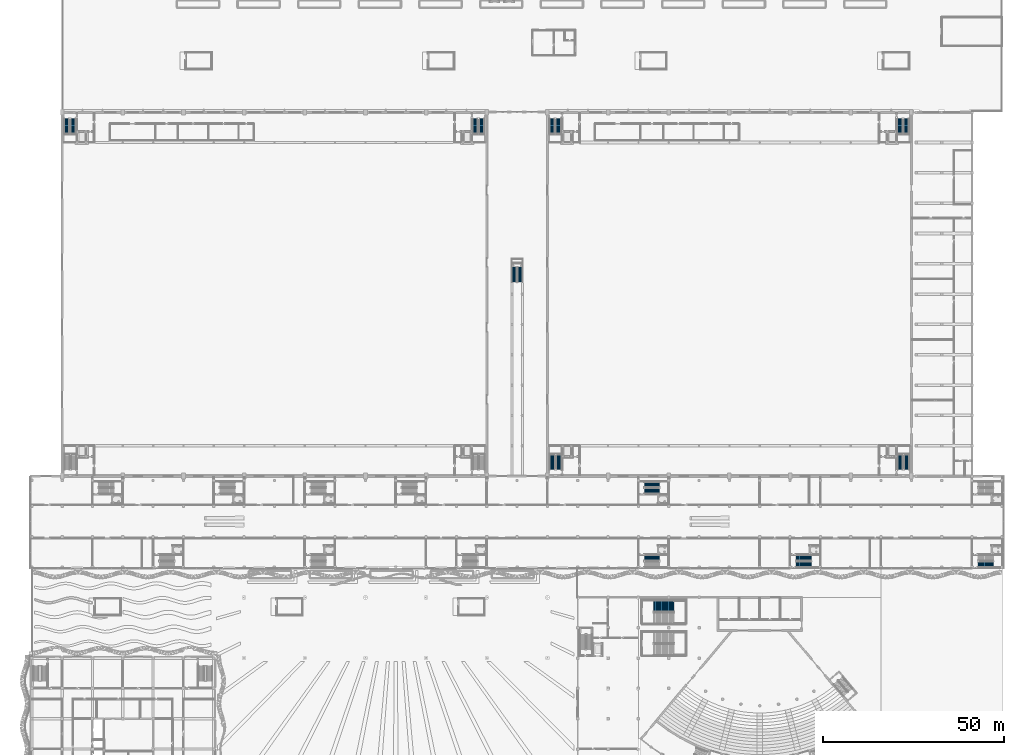
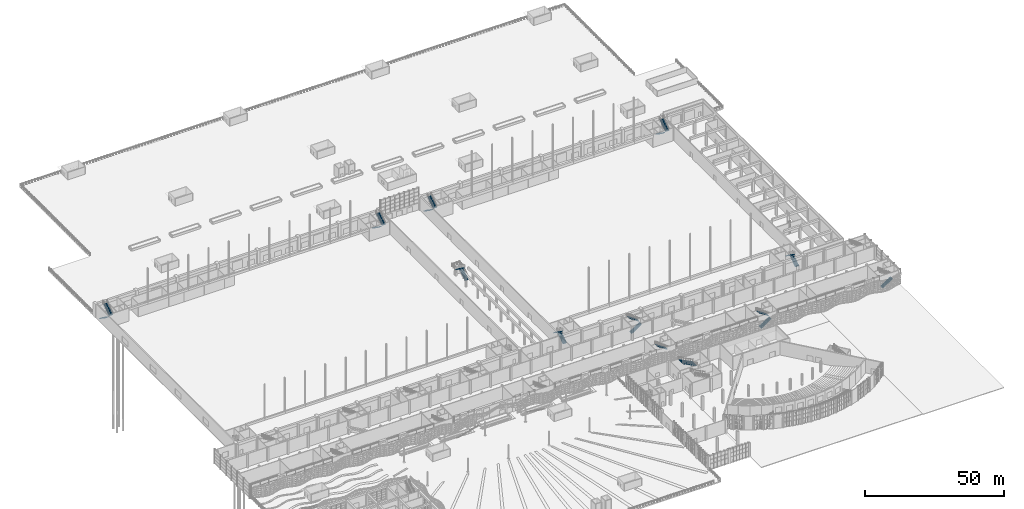
# One storey, part 131 of 210: 21 stair flights, 12 elements without a shape of their own.
"""IFC4 building model written with IfcOpenShell, lengths in metres."""

from ifc_helpers import new_model, si_unit, direction, frame, origin, place, context, subcontext, project, spatial, polyline, outline, extrude, material, layer, layer_set, type_object, element, aggregate, save


model = new_model("IFC4")

# Units and contexts
model_context = context("Model", 3, precision=1e-05, world=origin(), true_north=direction((0.0, 1.0)))
body_context = subcontext(model_context, "Body", "Model", "MODEL_VIEW")
ifc_project = project(units=[si_unit("LENGTHUNIT", "METRE"), si_unit("AREAUNIT", "SQUARE_METRE"), si_unit("VOLUMEUNIT", "CUBIC_METRE"), si_unit("PLANEANGLEUNIT", "RADIAN"), si_unit("MASSUNIT", "GRAM", prefix="KILO")], contexts=[model_context])

# Site, building, storey
site_placement = place(None, origin())
site = spatial("IfcSite", under=ifc_project, at=site_placement, CompositionType="ELEMENT")
building_placement = place(site_placement, origin())
building = spatial("IfcBuilding", under=site, at=building_placement, Name="Rain Tree Exposition and Congress Centre", CompositionType="ELEMENT")
storey_placement = place(building_placement, origin())
storey = spatial("IfcBuildingStorey", under=building, at=storey_placement, Name="L00", CompositionType="ELEMENT", Elevation=0.0)

# Stair, stair flight
ifc_material_1 = material(Name="Precast concrete C50/60", Category="concrete")
stair_type_1 = type_object("IfcStairType", Name="Concourse dogleg stair 1600", PredefinedType="HALF_TURN_STAIR", material=ifc_material_1)
stair_1_placement = place(storey_placement, origin())
stair_1 = element("IfcStair", 1, at=stair_1_placement, inside=storey, type_object=stair_type_1, Name="L00 Concourse stair", PredefinedType="HALF_TURN_STAIR")
ifc_material_2 = material(Name="Precast concrete C50/60", Category="concrete")
stair_flight_type_1 = type_object("IfcStairFlightType", Name="Concourse stair flight 1600", PredefinedType="STRAIGHT", material=ifc_material_2)
stair_flight_1_placement = place(storey_placement, frame((173.89990234375, 78.10009765625, 3.0), z_axis=(0.0, 0.0, 1.0), x_axis=(-1.0, 0.0, 0.0)))
stair_flight_1 = element("IfcStairFlight", 2, at=stair_flight_1_placement, type_object=stair_flight_type_1, Name="ST-C4 flight 2", NumberOfRisers=16, NumberOfTreads=15, PredefinedType="STRAIGHT", RiserHeight=0.1875, TreadLength=0.28, context=body_context, shape_type="SweptSolid", body=[
    extrude(outline(polyline([(0.0, 0.0), (0.0, 0.1875), (0.280029296875, 0.1875), (0.280029296875, 0.375), (0.56005859375, 0.375), (0.56005859375, 0.5625), (0.840087890625, 0.5625), (0.840087890625, 0.75), (1.1201171875, 0.75), (1.1201171875, 0.9375), (1.39990234375, 0.9375), (1.39990234375, 1.125), (1.679931640625, 1.125), (1.679931640625, 1.3125), (1.9599609375, 1.3125), (1.9599609375, 1.5), (2.239990234375, 1.5), (2.239990234375, 1.6875), (2.52001953125, 1.6875), (2.52001953125, 1.875), (2.800048828125, 1.875), (2.800048828125, 2.0625), (3.080078125, 2.0625), (3.080078125, 2.25), (3.360107421875, 2.25), (3.360107421875, 2.4375), (3.639892578125, 2.4375), (3.639892578125, 2.625), (3.919921875, 2.625), (3.919921875, 2.8125), (4.199951171875, 2.8125), (4.199951171875, 3.0), (4.199951171875, 2.632080078125), (0.26953125, 0.0), (0.0, 0.0)])), frame((0.0, 0.800048828125, 0.0), z_axis=(0.0, -1.0, 0.0), x_axis=(1.0, 0.0, 0.0)), (0.0, 0.0, 1.0), 1.60009765625),
])
aggregate(stair_1, [stair_flight_1])

# Stair, stair flights
stair_2_placement = place(storey_placement, origin())
stair_2 = element("IfcStair", 3, at=stair_2_placement, inside=storey, type_object=stair_type_1, Name="L00 Concourse stair", PredefinedType="HALF_TURN_STAIR")
stair_flight_2_placement = place(storey_placement, frame((211.699951171875, 76.35009765625, 0.0), z_axis=(0.0, 0.0, 1.0), x_axis=(1.0, 0.0, 0.0)))
stair_flight_2 = element("IfcStairFlight", 4, at=stair_flight_2_placement, type_object=stair_flight_type_1, Name="ST-C5 flight 1", NumberOfRisers=16, NumberOfTreads=15, PredefinedType="STRAIGHT", RiserHeight=0.1875, TreadLength=0.28, context=body_context, shape_type="SweptSolid", body=[
    extrude(outline(polyline([(0.0, 0.0), (0.0, 0.1875), (0.280029296875, 0.1875), (0.280029296875, 0.375), (0.56005859375, 0.375), (0.56005859375, 0.5625), (0.840087890625, 0.5625), (0.840087890625, 0.75), (1.1201171875, 0.75), (1.1201171875, 0.9375), (1.39990234375, 0.9375), (1.39990234375, 1.125), (1.679931640625, 1.125), (1.679931640625, 1.3125), (1.9599609375, 1.3125), (1.9599609375, 1.5), (2.239990234375, 1.5), (2.239990234375, 1.6875), (2.52001953125, 1.6875), (2.52001953125, 1.875), (2.800048828125, 1.875), (2.800048828125, 2.0625), (3.080078125, 2.0625), (3.080078125, 2.25), (3.360107421875, 2.25), (3.360107421875, 2.4375), (3.639892578125, 2.4375), (3.639892578125, 2.625), (3.919921875, 2.625), (3.919921875, 2.8125), (4.199951171875, 2.8125), (4.199951171875, 3.0), (4.199951171875, 2.632080078125), (0.26953125, 0.0), (0.0, 0.0)])), frame((0.0, 0.800048828125, 0.0), z_axis=(0.0, -1.0, 0.0), x_axis=(1.0, 0.0, 0.0)), (0.0, 0.0, 1.0), 1.60009765625),
])
stair_flight_3_placement = place(storey_placement, frame((215.89990234375, 78.10009765625, 3.0), z_axis=(0.0, 0.0, 1.0), x_axis=(-1.0, 0.0, 0.0)))
stair_flight_3 = element("IfcStairFlight", 5, at=stair_flight_3_placement, type_object=stair_flight_type_1, Name="ST-C5 flight 2", NumberOfRisers=16, NumberOfTreads=15, PredefinedType="STRAIGHT", RiserHeight=0.1875, TreadLength=0.28, context=body_context, shape_type="SweptSolid", body=[
    extrude(outline(polyline([(0.0, 0.0), (0.0, 0.1875), (0.280029296875, 0.1875), (0.280029296875, 0.375), (0.56005859375, 0.375), (0.56005859375, 0.5625), (0.840087890625, 0.5625), (0.840087890625, 0.75), (1.1201171875, 0.75), (1.1201171875, 0.9375), (1.39990234375, 0.9375), (1.39990234375, 1.125), (1.679931640625, 1.125), (1.679931640625, 1.3125), (1.9599609375, 1.3125), (1.9599609375, 1.5), (2.239990234375, 1.5), (2.239990234375, 1.6875), (2.52001953125, 1.6875), (2.52001953125, 1.875), (2.800048828125, 1.875), (2.800048828125, 2.0625), (3.080078125, 2.0625), (3.080078125, 2.25), (3.360107421875, 2.25), (3.360107421875, 2.4375), (3.639892578125, 2.4375), (3.639892578125, 2.625), (3.919921875, 2.625), (3.919921875, 2.8125), (4.199951171875, 2.8125), (4.199951171875, 3.0), (4.199951171875, 2.632080078125), (0.26953125, 0.0), (0.0, 0.0)])), frame((0.0, 0.800048828125, 0.0), z_axis=(0.0, -1.0, 0.0), x_axis=(1.0, 0.0, 0.0)), (0.0, 0.0, 1.0), 1.60009765625),
])
aggregate(stair_2, [stair_flight_2, stair_flight_3])

# Stair, stair flight
stair_3_placement = place(storey_placement, origin())
stair_3 = element("IfcStair", 6, at=stair_3_placement, inside=storey, type_object=stair_type_1, Name="L00 Concourse stair", PredefinedType="HALF_TURN_STAIR")
stair_flight_4_placement = place(storey_placement, frame((262.10009765625, 76.35009765625, 0.0), z_axis=(0.0, 0.0, 1.0), x_axis=(1.0, 0.0, 0.0)))
stair_flight_4 = element("IfcStairFlight", 7, at=stair_flight_4_placement, type_object=stair_flight_type_1, Name="ST-C6 flight 1", NumberOfRisers=16, NumberOfTreads=15, PredefinedType="STRAIGHT", RiserHeight=0.1875, TreadLength=0.28, context=body_context, shape_type="SweptSolid", body=[
    extrude(outline(polyline([(0.0, 0.0), (0.0, 0.1875), (0.280029296875, 0.1875), (0.280029296875, 0.375), (0.56005859375, 0.375), (0.56005859375, 0.5625), (0.840087890625, 0.5625), (0.840087890625, 0.75), (1.1201171875, 0.75), (1.1201171875, 0.9375), (1.39990234375, 0.9375), (1.39990234375, 1.125), (1.679931640625, 1.125), (1.679931640625, 1.3125), (1.9599609375, 1.3125), (1.9599609375, 1.5), (2.239990234375, 1.5), (2.239990234375, 1.6875), (2.52001953125, 1.6875), (2.52001953125, 1.875), (2.800048828125, 1.875), (2.800048828125, 2.0625), (3.080078125, 2.0625), (3.080078125, 2.25), (3.360107421875, 2.25), (3.360107421875, 2.4375), (3.639892578125, 2.4375), (3.639892578125, 2.625), (3.919921875, 2.625), (3.919921875, 2.8125), (4.199951171875, 2.8125), (4.199951171875, 3.0), (4.199951171875, 2.632080078125), (0.26953125, 0.0), (0.0, 0.0)])), frame((0.0, 0.800048828125, 0.0), z_axis=(0.0, -1.0, 0.0), x_axis=(1.0, 0.0, 0.0)), (0.0, 0.0, 1.0), 1.60009765625),
])
aggregate(stair_3, [stair_flight_4])

# Stair, stair flights
stair_4_placement = place(storey_placement, origin())
stair_4 = element("IfcStair", 8, at=stair_4_placement, inside=storey, type_object=stair_type_1, Name="L00 Concourse stair", PredefinedType="HALF_TURN_STAIR")
stair_flight_5_placement = place(storey_placement, frame((169.699951171875, 96.64990234375, 0.0), z_axis=(0.0, 0.0, 1.0), x_axis=(1.0, 0.0, 0.0)))
stair_flight_5 = element("IfcStairFlight", 9, at=stair_flight_5_placement, type_object=stair_flight_type_1, Name="ST-C11 flight 1", NumberOfRisers=16, NumberOfTreads=15, PredefinedType="STRAIGHT", RiserHeight=0.1875, TreadLength=0.28, context=body_context, shape_type="SweptSolid", body=[
    extrude(outline(polyline([(0.0, 0.0), (0.0, 0.1875), (0.280029296875, 0.1875), (0.280029296875, 0.375), (0.56005859375, 0.375), (0.56005859375, 0.5625), (0.840087890625, 0.5625), (0.840087890625, 0.75), (1.1201171875, 0.75), (1.1201171875, 0.9375), (1.39990234375, 0.9375), (1.39990234375, 1.125), (1.679931640625, 1.125), (1.679931640625, 1.3125), (1.9599609375, 1.3125), (1.9599609375, 1.5), (2.239990234375, 1.5), (2.239990234375, 1.6875), (2.52001953125, 1.6875), (2.52001953125, 1.875), (2.800048828125, 1.875), (2.800048828125, 2.0625), (3.080078125, 2.0625), (3.080078125, 2.25), (3.360107421875, 2.25), (3.360107421875, 2.4375), (3.639892578125, 2.4375), (3.639892578125, 2.625), (3.919921875, 2.625), (3.919921875, 2.8125), (4.199951171875, 2.8125), (4.199951171875, 3.0), (4.199951171875, 2.632080078125), (0.26953125, 0.0), (0.0, 0.0)])), frame((0.0, 0.800048828125, 0.0), z_axis=(0.0, -1.0, 0.0), x_axis=(1.0, 0.0, 0.0)), (0.0, 0.0, 1.0), 1.60009765625),
])
stair_flight_6_placement = place(storey_placement, frame((173.89990234375, 98.39990234375, 3.0), z_axis=(0.0, 0.0, 1.0), x_axis=(-1.0, 0.0, 0.0)))
stair_flight_6 = element("IfcStairFlight", 10, at=stair_flight_6_placement, type_object=stair_flight_type_1, Name="ST-C11 flight 2", NumberOfRisers=16, NumberOfTreads=15, PredefinedType="STRAIGHT", RiserHeight=0.1875, TreadLength=0.28, context=body_context, shape_type="SweptSolid", body=[
    extrude(outline(polyline([(0.0, 0.0), (0.0, 0.1875), (0.280029296875, 0.1875), (0.280029296875, 0.375), (0.56005859375, 0.375), (0.56005859375, 0.5625), (0.840087890625, 0.5625), (0.840087890625, 0.75), (1.1201171875, 0.75), (1.1201171875, 0.9375), (1.39990234375, 0.9375), (1.39990234375, 1.125), (1.679931640625, 1.125), (1.679931640625, 1.3125), (1.9599609375, 1.3125), (1.9599609375, 1.5), (2.239990234375, 1.5), (2.239990234375, 1.6875), (2.52001953125, 1.6875), (2.52001953125, 1.875), (2.800048828125, 1.875), (2.800048828125, 2.0625), (3.080078125, 2.0625), (3.080078125, 2.25), (3.360107421875, 2.25), (3.360107421875, 2.4375), (3.639892578125, 2.4375), (3.639892578125, 2.625), (3.919921875, 2.625), (3.919921875, 2.8125), (4.199951171875, 2.8125), (4.199951171875, 3.0), (4.199951171875, 2.632080078125), (0.26953125, 0.0), (0.0, 0.0)])), frame((0.0, 0.800048828125, 0.0), z_axis=(0.0, -1.0, 0.0), x_axis=(1.0, 0.0, 0.0)), (0.0, 0.0, 1.0), 1.60009765625),
])
aggregate(stair_4, [stair_flight_5, stair_flight_6])

ifc_material_3 = material(Name="Concrete C40/50", Category="concrete")
stair_type_2 = type_object("IfcStairType", Name="Half-turn stair 1500", PredefinedType="HALF_TURN_STAIR", material=ifc_material_3)
stair_5_placement = place(storey_placement, origin())
stair_5 = element("IfcStair", 11, at=stair_5_placement, inside=storey, type_object=stair_type_2, Name="L00 Stair HL1", PredefinedType="HALF_TURN_STAIR")
ifc_material_4 = material(Name="Concrete C40/50", Category="concrete")
stair_flight_type_2 = type_object("IfcStairFlightType", Name="Stair flight 1500", PredefinedType="STRAIGHT", material=ifc_material_4)
stair_flight_7_placement = place(storey_placement, frame((135.25, 154.5, 0.0), z_axis=(0.0, 0.0, 1.0), x_axis=(0.0, 1.0, 0.0)))
stair_flight_7 = element("IfcStairFlight", 12, at=stair_flight_7_placement, type_object=stair_flight_type_2, Name="ST-HL1 flight 1", NumberOfRisers=16, NumberOfTreads=15, PredefinedType="STRAIGHT", RiserHeight=0.1875, TreadLength=0.28, context=body_context, shape_type="SweptSolid", body=[
    extrude(outline(polyline([(0.0, 0.0), (0.0, 0.1875), (0.280029296875, 0.1875), (0.280029296875, 0.375), (0.56005859375, 0.375), (0.56005859375, 0.5625), (0.840087890625, 0.5625), (0.840087890625, 0.75), (1.1201171875, 0.75), (1.1201171875, 0.9375), (1.39990234375, 0.9375), (1.39990234375, 1.125), (1.679931640625, 1.125), (1.679931640625, 1.3125), (1.9599609375, 1.3125), (1.9599609375, 1.5), (2.239990234375, 1.5), (2.239990234375, 1.6875), (2.52001953125, 1.6875), (2.52001953125, 1.875), (2.800048828125, 1.875), (2.800048828125, 2.0625), (3.080078125, 2.0625), (3.080078125, 2.25), (3.360107421875, 2.25), (3.360107421875, 2.4375), (3.639892578125, 2.4375), (3.639892578125, 2.625), (3.919921875, 2.625), (3.919921875, 2.8125), (4.199951171875, 2.8125), (4.199951171875, 3.0), (4.199951171875, 2.632080078125), (0.26953125, 0.0), (0.0, 0.0)])), frame((0.0, 0.75, 0.0), z_axis=(0.0, -1.0, 0.0), x_axis=(1.0, 0.0, 0.0)), (0.0, 0.0, 1.0), 1.5),
])
stair_flight_8_placement = place(storey_placement, frame((133.60009765625, 158.699951171875, 3.0), z_axis=(0.0, 0.0, 1.0), x_axis=(0.0, -1.0, 0.0)))
stair_flight_8 = element("IfcStairFlight", 13, at=stair_flight_8_placement, type_object=stair_flight_type_2, Name="ST-HL1 flight 2", NumberOfRisers=16, NumberOfTreads=15, PredefinedType="STRAIGHT", RiserHeight=0.1875, TreadLength=0.28, context=body_context, shape_type="SweptSolid", body=[
    extrude(outline(polyline([(0.0, 0.0), (0.0, 0.1875), (0.280029296875, 0.1875), (0.280029296875, 0.375), (0.56005859375, 0.375), (0.56005859375, 0.5625), (0.840087890625, 0.5625), (0.840087890625, 0.75), (1.1201171875, 0.75), (1.1201171875, 0.9375), (1.39990234375, 0.9375), (1.39990234375, 1.125), (1.679931640625, 1.125), (1.679931640625, 1.3125), (1.9599609375, 1.3125), (1.9599609375, 1.5), (2.239990234375, 1.5), (2.239990234375, 1.6875), (2.52001953125, 1.6875), (2.52001953125, 1.875), (2.800048828125, 1.875), (2.800048828125, 2.0625), (3.080078125, 2.0625), (3.080078125, 2.25), (3.360107421875, 2.25), (3.360107421875, 2.4375), (3.639892578125, 2.4375), (3.639892578125, 2.625), (3.919921875, 2.625), (3.919921875, 2.8125), (4.199951171875, 2.8125), (4.199951171875, 3.0), (4.199951171875, 2.632080078125), (0.26953125, 0.0), (0.0, 0.0)])), frame((0.0, 0.75, 0.0), z_axis=(0.0, -1.0, 0.0), x_axis=(1.0, 0.0, 0.0)), (0.0, 0.0, 1.0), 1.5),
])
aggregate(stair_5, [stair_flight_7, stair_flight_8])

ifc_material_5 = material(Name="Concrete C40/50", Category="concrete")
stair_type_3 = type_object("IfcStairType", Name="Half-turn stair 1600", PredefinedType="HALF_TURN_STAIR", material=ifc_material_5)
stair_6_placement = place(storey_placement, origin())
stair_6 = element("IfcStair", 14, at=stair_6_placement, inside=storey, type_object=stair_type_3, Name="L00 Stair H3", PredefinedType="HALF_TURN_STAIR")
ifc_material_6 = material(Name="Concrete C40/50", Category="concrete")
stair_flight_type_3 = type_object("IfcStairFlightType", Name="Stair flight 1600", PredefinedType="STRAIGHT", material=ifc_material_6)
stair_flight_9_placement = place(storey_placement, frame((9.699951171875, 199.800048828125, 0.0), z_axis=(0.0, 0.0, 1.0), x_axis=(0.0, -1.0, 0.0)))
stair_flight_9 = element("IfcStairFlight", 15, at=stair_flight_9_placement, type_object=stair_flight_type_3, Name="ST-H3 flight 1", NumberOfRisers=16, NumberOfTreads=15, PredefinedType="STRAIGHT", RiserHeight=0.1875, TreadLength=0.28, context=body_context, shape_type="SweptSolid", body=[
    extrude(outline(polyline([(0.0, 0.0), (0.0, 0.1875), (0.280029296875, 0.1875), (0.280029296875, 0.375), (0.56005859375, 0.375), (0.56005859375, 0.5625), (0.840087890625, 0.5625), (0.840087890625, 0.75), (1.1201171875, 0.75), (1.1201171875, 0.9375), (1.39990234375, 0.9375), (1.39990234375, 1.125), (1.679931640625, 1.125), (1.679931640625, 1.3125), (1.9599609375, 1.3125), (1.9599609375, 1.5), (2.239990234375, 1.5), (2.239990234375, 1.6875), (2.52001953125, 1.6875), (2.52001953125, 1.875), (2.800048828125, 1.875), (2.800048828125, 2.0625), (3.080078125, 2.0625), (3.080078125, 2.25), (3.360107421875, 2.25), (3.360107421875, 2.4375), (3.639892578125, 2.4375), (3.639892578125, 2.625), (3.919921875, 2.625), (3.919921875, 2.8125), (4.199951171875, 2.8125), (4.199951171875, 3.0), (4.199951171875, 2.632080078125), (0.26953125, 0.0), (0.0, 0.0)])), frame((0.0, 0.800048828125, 0.0), z_axis=(0.0, -1.0, 0.0), x_axis=(1.0, 0.0, 0.0)), (0.0, 0.0, 1.0), 1.60009765625),
])
stair_flight_10_placement = place(storey_placement, frame((11.449951171875, 195.60009765625, 3.0), z_axis=(0.0, 0.0, 1.0), x_axis=(0.0, 1.0, 0.0)))
stair_flight_10 = element("IfcStairFlight", 16, at=stair_flight_10_placement, type_object=stair_flight_type_3, Name="ST-H3 flight 2", NumberOfRisers=16, NumberOfTreads=15, PredefinedType="STRAIGHT", RiserHeight=0.1875, TreadLength=0.28, context=body_context, shape_type="SweptSolid", body=[
    extrude(outline(polyline([(0.0, 0.0), (0.0, 0.1875), (0.280029296875, 0.1875), (0.280029296875, 0.375), (0.56005859375, 0.375), (0.56005859375, 0.5625), (0.840087890625, 0.5625), (0.840087890625, 0.75), (1.1201171875, 0.75), (1.1201171875, 0.9375), (1.39990234375, 0.9375), (1.39990234375, 1.125), (1.679931640625, 1.125), (1.679931640625, 1.3125), (1.9599609375, 1.3125), (1.9599609375, 1.5), (2.239990234375, 1.5), (2.239990234375, 1.6875), (2.52001953125, 1.6875), (2.52001953125, 1.875), (2.800048828125, 1.875), (2.800048828125, 2.0625), (3.080078125, 2.0625), (3.080078125, 2.25), (3.360107421875, 2.25), (3.360107421875, 2.4375), (3.639892578125, 2.4375), (3.639892578125, 2.625), (3.919921875, 2.625), (3.919921875, 2.8125), (4.199951171875, 2.8125), (4.199951171875, 3.0), (4.199951171875, 2.632080078125), (0.26953125, 0.0), (0.0, 0.0)])), frame((0.0, 0.800048828125, 0.0), z_axis=(0.0, -1.0, 0.0), x_axis=(1.0, 0.0, 0.0)), (0.0, 0.0, 1.0), 1.60009765625),
])
aggregate(stair_6, [stair_flight_9, stair_flight_10])

stair_7_placement = place(storey_placement, origin())
stair_7 = element("IfcStair", 17, at=stair_7_placement, inside=storey, type_object=stair_type_3, Name="L00 Stair H4", PredefinedType="HALF_TURN_STAIR")
stair_flight_11_placement = place(storey_placement, frame((122.824951171875, 199.800048828125, 0.0), z_axis=(0.0, 0.0, 1.0), x_axis=(0.0, -1.0, 0.0)))
stair_flight_11 = element("IfcStairFlight", 18, at=stair_flight_11_placement, type_object=stair_flight_type_3, Name="ST-H4 flight 1", NumberOfRisers=16, NumberOfTreads=15, PredefinedType="STRAIGHT", RiserHeight=0.1875, TreadLength=0.28, context=body_context, shape_type="SweptSolid", body=[
    extrude(outline(polyline([(0.0, 0.0), (0.0, 0.1875), (0.280029296875, 0.1875), (0.280029296875, 0.375), (0.56005859375, 0.375), (0.56005859375, 0.5625), (0.840087890625, 0.5625), (0.840087890625, 0.75), (1.1201171875, 0.75), (1.1201171875, 0.9375), (1.39990234375, 0.9375), (1.39990234375, 1.125), (1.679931640625, 1.125), (1.679931640625, 1.3125), (1.9599609375, 1.3125), (1.9599609375, 1.5), (2.239990234375, 1.5), (2.239990234375, 1.6875), (2.52001953125, 1.6875), (2.52001953125, 1.875), (2.800048828125, 1.875), (2.800048828125, 2.0625), (3.080078125, 2.0625), (3.080078125, 2.25), (3.360107421875, 2.25), (3.360107421875, 2.4375), (3.639892578125, 2.4375), (3.639892578125, 2.625), (3.919921875, 2.625), (3.919921875, 2.8125), (4.199951171875, 2.8125), (4.199951171875, 3.0), (4.199951171875, 2.632080078125), (0.26953125, 0.0), (0.0, 0.0)])), frame((0.0, 0.800048828125, 0.0), z_axis=(0.0, -1.0, 0.0), x_axis=(1.0, 0.0, 0.0)), (0.0, 0.0, 1.0), 1.60009765625),
])
stair_flight_12_placement = place(storey_placement, frame((124.574951171875, 195.60009765625, 3.0), z_axis=(0.0, 0.0, 1.0), x_axis=(0.0, 1.0, 0.0)))
stair_flight_12 = element("IfcStairFlight", 19, at=stair_flight_12_placement, type_object=stair_flight_type_3, Name="ST-H4 flight 2", NumberOfRisers=16, NumberOfTreads=15, PredefinedType="STRAIGHT", RiserHeight=0.1875, TreadLength=0.28, context=body_context, shape_type="SweptSolid", body=[
    extrude(outline(polyline([(0.0, 0.0), (0.0, 0.1875), (0.280029296875, 0.1875), (0.280029296875, 0.375), (0.56005859375, 0.375), (0.56005859375, 0.5625), (0.840087890625, 0.5625), (0.840087890625, 0.75), (1.1201171875, 0.75), (1.1201171875, 0.9375), (1.39990234375, 0.9375), (1.39990234375, 1.125), (1.679931640625, 1.125), (1.679931640625, 1.3125), (1.9599609375, 1.3125), (1.9599609375, 1.5), (2.239990234375, 1.5), (2.239990234375, 1.6875), (2.52001953125, 1.6875), (2.52001953125, 1.875), (2.800048828125, 1.875), (2.800048828125, 2.0625), (3.080078125, 2.0625), (3.080078125, 2.25), (3.360107421875, 2.25), (3.360107421875, 2.4375), (3.639892578125, 2.4375), (3.639892578125, 2.625), (3.919921875, 2.625), (3.919921875, 2.8125), (4.199951171875, 2.8125), (4.199951171875, 3.0), (4.199951171875, 2.632080078125), (0.26953125, 0.0), (0.0, 0.0)])), frame((0.0, 0.800048828125, 0.0), z_axis=(0.0, -1.0, 0.0), x_axis=(1.0, 0.0, 0.0)), (0.0, 0.0, 1.0), 1.60009765625),
])
aggregate(stair_7, [stair_flight_11, stair_flight_12])

stair_8_placement = place(storey_placement, origin())
stair_8 = element("IfcStair", 20, at=stair_8_placement, inside=storey, type_object=stair_type_3, Name="L00 Stair H5", PredefinedType="HALF_TURN_STAIR")
stair_flight_13_placement = place(storey_placement, frame((145.97509765625, 102.60009765625, 0.0), z_axis=(0.0, 0.0, 1.0), x_axis=(0.0, 1.0, 0.0)))
stair_flight_13 = element("IfcStairFlight", 21, at=stair_flight_13_placement, type_object=stair_flight_type_3, Name="ST-H5 flight 1", NumberOfRisers=16, NumberOfTreads=15, PredefinedType="STRAIGHT", RiserHeight=0.1875, TreadLength=0.28, context=body_context, shape_type="SweptSolid", body=[
    extrude(outline(polyline([(0.0, 0.0), (0.0, 0.1875), (0.280029296875, 0.1875), (0.280029296875, 0.375), (0.56005859375, 0.375), (0.56005859375, 0.5625), (0.840087890625, 0.5625), (0.840087890625, 0.75), (1.1201171875, 0.75), (1.1201171875, 0.9375), (1.39990234375, 0.9375), (1.39990234375, 1.125), (1.679931640625, 1.125), (1.679931640625, 1.3125), (1.9599609375, 1.3125), (1.9599609375, 1.5), (2.239990234375, 1.5), (2.239990234375, 1.6875), (2.52001953125, 1.6875), (2.52001953125, 1.875), (2.800048828125, 1.875), (2.800048828125, 2.0625), (3.080078125, 2.0625), (3.080078125, 2.25), (3.360107421875, 2.25), (3.360107421875, 2.4375), (3.639892578125, 2.4375), (3.639892578125, 2.625), (3.919921875, 2.625), (3.919921875, 2.8125), (4.199951171875, 2.8125), (4.199951171875, 3.0), (4.199951171875, 2.632080078125), (0.26953125, 0.0), (0.0, 0.0)])), frame((0.0, 0.800048828125, 0.0), z_axis=(0.0, -1.0, 0.0), x_axis=(1.0, 0.0, 0.0)), (0.0, 0.0, 1.0), 1.60009765625),
])
stair_flight_14_placement = place(storey_placement, frame((144.22509765625, 106.800048828125, 3.0), z_axis=(0.0, 0.0, 1.0), x_axis=(0.0, -1.0, 0.0)))
stair_flight_14 = element("IfcStairFlight", 22, at=stair_flight_14_placement, type_object=stair_flight_type_3, Name="ST-H5 flight 2", NumberOfRisers=16, NumberOfTreads=15, PredefinedType="STRAIGHT", RiserHeight=0.1875, TreadLength=0.28, context=body_context, shape_type="SweptSolid", body=[
    extrude(outline(polyline([(0.0, 0.0), (0.0, 0.1875), (0.280029296875, 0.1875), (0.280029296875, 0.375), (0.56005859375, 0.375), (0.56005859375, 0.5625), (0.840087890625, 0.5625), (0.840087890625, 0.75), (1.1201171875, 0.75), (1.1201171875, 0.9375), (1.39990234375, 0.9375), (1.39990234375, 1.125), (1.679931640625, 1.125), (1.679931640625, 1.3125), (1.9599609375, 1.3125), (1.9599609375, 1.5), (2.239990234375, 1.5), (2.239990234375, 1.6875), (2.52001953125, 1.6875), (2.52001953125, 1.875), (2.800048828125, 1.875), (2.800048828125, 2.0625), (3.080078125, 2.0625), (3.080078125, 2.25), (3.360107421875, 2.25), (3.360107421875, 2.4375), (3.639892578125, 2.4375), (3.639892578125, 2.625), (3.919921875, 2.625), (3.919921875, 2.8125), (4.199951171875, 2.8125), (4.199951171875, 3.0), (4.199951171875, 2.632080078125), (0.26953125, 0.0), (0.0, 0.0)])), frame((0.0, 0.800048828125, 0.0), z_axis=(0.0, -1.0, 0.0), x_axis=(1.0, 0.0, 0.0)), (0.0, 0.0, 1.0), 1.60009765625),
])
aggregate(stair_8, [stair_flight_13, stair_flight_14])

stair_9_placement = place(storey_placement, origin())
stair_9 = element("IfcStair", 23, at=stair_9_placement, inside=storey, type_object=stair_type_3, Name="L00 Stair H6", PredefinedType="HALF_TURN_STAIR")
stair_flight_15_placement = place(storey_placement, frame((242.300048828125, 102.60009765625, 0.0), z_axis=(0.0, 0.0, 1.0), x_axis=(0.0, 1.0, 0.0)))
stair_flight_15 = element("IfcStairFlight", 24, at=stair_flight_15_placement, type_object=stair_flight_type_3, Name="ST-H6 flight 1", NumberOfRisers=16, NumberOfTreads=15, PredefinedType="STRAIGHT", RiserHeight=0.1875, TreadLength=0.28, context=body_context, shape_type="SweptSolid", body=[
    extrude(outline(polyline([(0.0, 0.0), (0.0, 0.1875), (0.280029296875, 0.1875), (0.280029296875, 0.375), (0.56005859375, 0.375), (0.56005859375, 0.5625), (0.840087890625, 0.5625), (0.840087890625, 0.75), (1.1201171875, 0.75), (1.1201171875, 0.9375), (1.39990234375, 0.9375), (1.39990234375, 1.125), (1.679931640625, 1.125), (1.679931640625, 1.3125), (1.9599609375, 1.3125), (1.9599609375, 1.5), (2.239990234375, 1.5), (2.239990234375, 1.6875), (2.52001953125, 1.6875), (2.52001953125, 1.875), (2.800048828125, 1.875), (2.800048828125, 2.0625), (3.080078125, 2.0625), (3.080078125, 2.25), (3.360107421875, 2.25), (3.360107421875, 2.4375), (3.639892578125, 2.4375), (3.639892578125, 2.625), (3.919921875, 2.625), (3.919921875, 2.8125), (4.199951171875, 2.8125), (4.199951171875, 3.0), (4.199951171875, 2.632080078125), (0.26953125, 0.0), (0.0, 0.0)])), frame((0.0, 0.800048828125, 0.0), z_axis=(0.0, -1.0, 0.0), x_axis=(1.0, 0.0, 0.0)), (0.0, 0.0, 1.0), 1.60009765625),
])
stair_flight_16_placement = place(storey_placement, frame((240.550048828125, 106.800048828125, 3.0), z_axis=(0.0, 0.0, 1.0), x_axis=(0.0, -1.0, 0.0)))
stair_flight_16 = element("IfcStairFlight", 25, at=stair_flight_16_placement, type_object=stair_flight_type_3, Name="ST-H6 flight 2", NumberOfRisers=16, NumberOfTreads=15, PredefinedType="STRAIGHT", RiserHeight=0.1875, TreadLength=0.28, context=body_context, shape_type="SweptSolid", body=[
    extrude(outline(polyline([(0.0, 0.0), (0.0, 0.1875), (0.280029296875, 0.1875), (0.280029296875, 0.375), (0.56005859375, 0.375), (0.56005859375, 0.5625), (0.840087890625, 0.5625), (0.840087890625, 0.75), (1.1201171875, 0.75), (1.1201171875, 0.9375), (1.39990234375, 0.9375), (1.39990234375, 1.125), (1.679931640625, 1.125), (1.679931640625, 1.3125), (1.9599609375, 1.3125), (1.9599609375, 1.5), (2.239990234375, 1.5), (2.239990234375, 1.6875), (2.52001953125, 1.6875), (2.52001953125, 1.875), (2.800048828125, 1.875), (2.800048828125, 2.0625), (3.080078125, 2.0625), (3.080078125, 2.25), (3.360107421875, 2.25), (3.360107421875, 2.4375), (3.639892578125, 2.4375), (3.639892578125, 2.625), (3.919921875, 2.625), (3.919921875, 2.8125), (4.199951171875, 2.8125), (4.199951171875, 3.0), (4.199951171875, 2.632080078125), (0.26953125, 0.0), (0.0, 0.0)])), frame((0.0, 0.800048828125, 0.0), z_axis=(0.0, -1.0, 0.0), x_axis=(1.0, 0.0, 0.0)), (0.0, 0.0, 1.0), 1.60009765625),
])
aggregate(stair_9, [stair_flight_15, stair_flight_16])

stair_10_placement = place(storey_placement, origin())
stair_10 = element("IfcStair", 26, at=stair_10_placement, inside=storey, type_object=stair_type_3, Name="L00 Stair H7", PredefinedType="HALF_TURN_STAIR")
stair_flight_17_placement = place(storey_placement, frame((144.10009765625, 199.800048828125, 0.0), z_axis=(0.0, 0.0, 1.0), x_axis=(0.0, -1.0, 0.0)))
stair_flight_17 = element("IfcStairFlight", 27, at=stair_flight_17_placement, type_object=stair_flight_type_3, Name="ST-H7 flight 1", NumberOfRisers=16, NumberOfTreads=15, PredefinedType="STRAIGHT", RiserHeight=0.1875, TreadLength=0.28, context=body_context, shape_type="SweptSolid", body=[
    extrude(outline(polyline([(0.0, 0.0), (0.0, 0.1875), (0.280029296875, 0.1875), (0.280029296875, 0.375), (0.56005859375, 0.375), (0.56005859375, 0.5625), (0.840087890625, 0.5625), (0.840087890625, 0.75), (1.1201171875, 0.75), (1.1201171875, 0.9375), (1.39990234375, 0.9375), (1.39990234375, 1.125), (1.679931640625, 1.125), (1.679931640625, 1.3125), (1.9599609375, 1.3125), (1.9599609375, 1.5), (2.239990234375, 1.5), (2.239990234375, 1.6875), (2.52001953125, 1.6875), (2.52001953125, 1.875), (2.800048828125, 1.875), (2.800048828125, 2.0625), (3.080078125, 2.0625), (3.080078125, 2.25), (3.360107421875, 2.25), (3.360107421875, 2.4375), (3.639892578125, 2.4375), (3.639892578125, 2.625), (3.919921875, 2.625), (3.919921875, 2.8125), (4.199951171875, 2.8125), (4.199951171875, 3.0), (4.199951171875, 2.632080078125), (0.26953125, 0.0), (0.0, 0.0)])), frame((0.0, 0.800048828125, 0.0), z_axis=(0.0, -1.0, 0.0), x_axis=(1.0, 0.0, 0.0)), (0.0, 0.0, 1.0), 1.60009765625),
])
stair_flight_18_placement = place(storey_placement, frame((145.85009765625, 195.60009765625, 3.0), z_axis=(0.0, 0.0, 1.0), x_axis=(0.0, 1.0, 0.0)))
stair_flight_18 = element("IfcStairFlight", 28, at=stair_flight_18_placement, type_object=stair_flight_type_3, Name="ST-H7 flight 2", NumberOfRisers=16, NumberOfTreads=15, PredefinedType="STRAIGHT", RiserHeight=0.1875, TreadLength=0.28, context=body_context, shape_type="SweptSolid", body=[
    extrude(outline(polyline([(0.0, 0.0), (0.0, 0.1875), (0.280029296875, 0.1875), (0.280029296875, 0.375), (0.56005859375, 0.375), (0.56005859375, 0.5625), (0.840087890625, 0.5625), (0.840087890625, 0.75), (1.1201171875, 0.75), (1.1201171875, 0.9375), (1.39990234375, 0.9375), (1.39990234375, 1.125), (1.679931640625, 1.125), (1.679931640625, 1.3125), (1.9599609375, 1.3125), (1.9599609375, 1.5), (2.239990234375, 1.5), (2.239990234375, 1.6875), (2.52001953125, 1.6875), (2.52001953125, 1.875), (2.800048828125, 1.875), (2.800048828125, 2.0625), (3.080078125, 2.0625), (3.080078125, 2.25), (3.360107421875, 2.25), (3.360107421875, 2.4375), (3.639892578125, 2.4375), (3.639892578125, 2.625), (3.919921875, 2.625), (3.919921875, 2.8125), (4.199951171875, 2.8125), (4.199951171875, 3.0), (4.199951171875, 2.632080078125), (0.26953125, 0.0), (0.0, 0.0)])), frame((0.0, 0.800048828125, 0.0), z_axis=(0.0, -1.0, 0.0), x_axis=(1.0, 0.0, 0.0)), (0.0, 0.0, 1.0), 1.60009765625),
])
aggregate(stair_10, [stair_flight_17, stair_flight_18])

stair_11_placement = place(storey_placement, origin())
stair_11 = element("IfcStair", 29, at=stair_11_placement, inside=storey, type_object=stair_type_3, Name="L00 Stair H8", PredefinedType="HALF_TURN_STAIR")
stair_flight_19_placement = place(storey_placement, frame((240.425048828125, 199.800048828125, 0.0), z_axis=(0.0, 0.0, 1.0), x_axis=(0.0, -1.0, 0.0)))
stair_flight_19 = element("IfcStairFlight", 30, at=stair_flight_19_placement, type_object=stair_flight_type_3, Name="ST-H8 flight 1", NumberOfRisers=16, NumberOfTreads=15, PredefinedType="STRAIGHT", RiserHeight=0.1875, TreadLength=0.28, context=body_context, shape_type="SweptSolid", body=[
    extrude(outline(polyline([(0.0, 0.0), (0.0, 0.1875), (0.280029296875, 0.1875), (0.280029296875, 0.375), (0.56005859375, 0.375), (0.56005859375, 0.5625), (0.840087890625, 0.5625), (0.840087890625, 0.75), (1.1201171875, 0.75), (1.1201171875, 0.9375), (1.39990234375, 0.9375), (1.39990234375, 1.125), (1.679931640625, 1.125), (1.679931640625, 1.3125), (1.9599609375, 1.3125), (1.9599609375, 1.5), (2.239990234375, 1.5), (2.239990234375, 1.6875), (2.52001953125, 1.6875), (2.52001953125, 1.875), (2.800048828125, 1.875), (2.800048828125, 2.0625), (3.080078125, 2.0625), (3.080078125, 2.25), (3.360107421875, 2.25), (3.360107421875, 2.4375), (3.639892578125, 2.4375), (3.639892578125, 2.625), (3.919921875, 2.625), (3.919921875, 2.8125), (4.199951171875, 2.8125), (4.199951171875, 3.0), (4.199951171875, 2.632080078125), (0.26953125, 0.0), (0.0, 0.0)])), frame((0.0, 0.800048828125, 0.0), z_axis=(0.0, -1.0, 0.0), x_axis=(1.0, 0.0, 0.0)), (0.0, 0.0, 1.0), 1.60009765625),
])
stair_flight_20_placement = place(storey_placement, frame((242.175048828125, 195.60009765625, 3.0), z_axis=(0.0, 0.0, 1.0), x_axis=(0.0, 1.0, 0.0)))
stair_flight_20 = element("IfcStairFlight", 31, at=stair_flight_20_placement, type_object=stair_flight_type_3, Name="ST-H8 flight 2", NumberOfRisers=16, NumberOfTreads=15, PredefinedType="STRAIGHT", RiserHeight=0.1875, TreadLength=0.28, context=body_context, shape_type="SweptSolid", body=[
    extrude(outline(polyline([(0.0, 0.0), (0.0, 0.1875), (0.280029296875, 0.1875), (0.280029296875, 0.375), (0.56005859375, 0.375), (0.56005859375, 0.5625), (0.840087890625, 0.5625), (0.840087890625, 0.75), (1.1201171875, 0.75), (1.1201171875, 0.9375), (1.39990234375, 0.9375), (1.39990234375, 1.125), (1.679931640625, 1.125), (1.679931640625, 1.3125), (1.9599609375, 1.3125), (1.9599609375, 1.5), (2.239990234375, 1.5), (2.239990234375, 1.6875), (2.52001953125, 1.6875), (2.52001953125, 1.875), (2.800048828125, 1.875), (2.800048828125, 2.0625), (3.080078125, 2.0625), (3.080078125, 2.25), (3.360107421875, 2.25), (3.360107421875, 2.4375), (3.639892578125, 2.4375), (3.639892578125, 2.625), (3.919921875, 2.625), (3.919921875, 2.8125), (4.199951171875, 2.8125), (4.199951171875, 3.0), (4.199951171875, 2.632080078125), (0.26953125, 0.0), (0.0, 0.0)])), frame((0.0, 0.800048828125, 0.0), z_axis=(0.0, -1.0, 0.0), x_axis=(1.0, 0.0, 0.0)), (0.0, 0.0, 1.0), 1.60009765625),
])
aggregate(stair_11, [stair_flight_19, stair_flight_20])

# Stair, stair flight
ifc_material_7 = material(Name="Concrete C40/50", Category="concrete")
stair_type_4 = type_object("IfcStairType", Name="Half-turn stair congress", PredefinedType="HALF_TURN_STAIR", material=ifc_material_7)
stair_12_placement = place(storey_placement, origin())
stair_12 = element("IfcStair", 32, at=stair_12_placement, inside=storey, type_object=stair_type_4, Name="L00 Stair ST-G4", PredefinedType="HALF_TURN_STAIR")
ifc_material_8 = material(Name="Concrete C40/50", Category="concrete")
ifc_layer = layer(ifc_material_8, 0.14990234375)
ifc_layer_set = layer_set([ifc_layer], Name="Concrete C40/50")
stair_flight_type_4 = type_object("IfcStairFlightType", Name="Stair flight congress", PredefinedType="STRAIGHT", material=ifc_layer_set)
stair_flight_21_placement = place(storey_placement, frame((177.89990234375, 64.75, 3.0), z_axis=(0.0, 0.0, 1.0), x_axis=(-1.0, 0.0, 0.0)))
stair_flight_21 = element("IfcStairFlight", 33, at=stair_flight_21_placement, type_object=stair_flight_type_4, Name="ST-G4 flight 2", NumberOfRisers=20, NumberOfTreads=19, PredefinedType="STRAIGHT", RiserHeight=0.15, TreadLength=0.3, context=body_context, shape_type="SweptSolid", body=[
    extrude(outline(polyline([(0.0, 0.0), (0.0, 0.14990234375), (0.300048828125, 0.14990234375), (0.300048828125, 0.300048828125), (0.60009765625, 0.300048828125), (0.60009765625, 0.449951171875), (0.89990234375, 0.449951171875), (0.89990234375, 0.60009765625), (1.199951171875, 0.60009765625), (1.199951171875, 0.75), (1.5, 0.75), (1.5, 0.89990234375), (1.800048828125, 0.89990234375), (1.800048828125, 1.050048828125), (2.10009765625, 1.050048828125), (2.10009765625, 1.199951171875), (2.39990234375, 1.199951171875), (2.39990234375, 1.35009765625), (2.699951171875, 1.35009765625), (2.699951171875, 1.5), (3.0, 1.5), (3.0, 1.64990234375), (3.300048828125, 1.64990234375), (3.300048828125, 1.800048828125), (3.60009765625, 1.800048828125), (3.60009765625, 1.949951171875), (3.89990234375, 1.949951171875), (3.89990234375, 2.10009765625), (4.199951171875, 2.10009765625), (4.199951171875, 2.25), (4.5, 2.25), (4.5, 2.39990234375), (4.800048828125, 2.39990234375), (4.800048828125, 2.550048828125), (5.10009765625, 2.550048828125), (5.10009765625, 2.699951171875), (5.39990234375, 2.699951171875), (5.39990234375, 2.85009765625), (5.699951171875, 2.85009765625), (5.699951171875, 3.0), (5.699951171875, 2.682373046875), (0.335205078125, 0.0), (0.0, 0.0)])), frame((0.0, 1.60009765625, 0.0), z_axis=(0.0, -1.0, 0.0), x_axis=(1.0, 0.0, 0.0)), (0.0, 0.0, 1.0), 3.199951171875),
])
aggregate(stair_12, [stair_flight_21])

save(model, "model.ifc")
